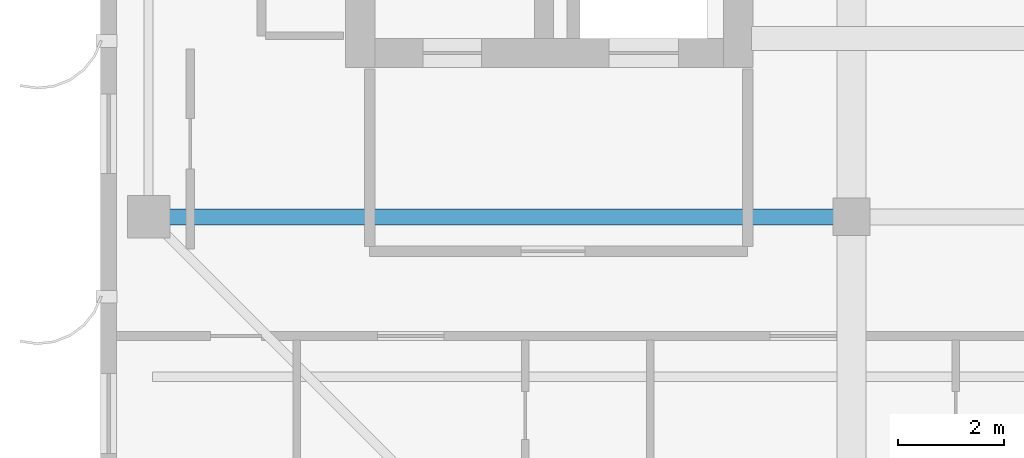
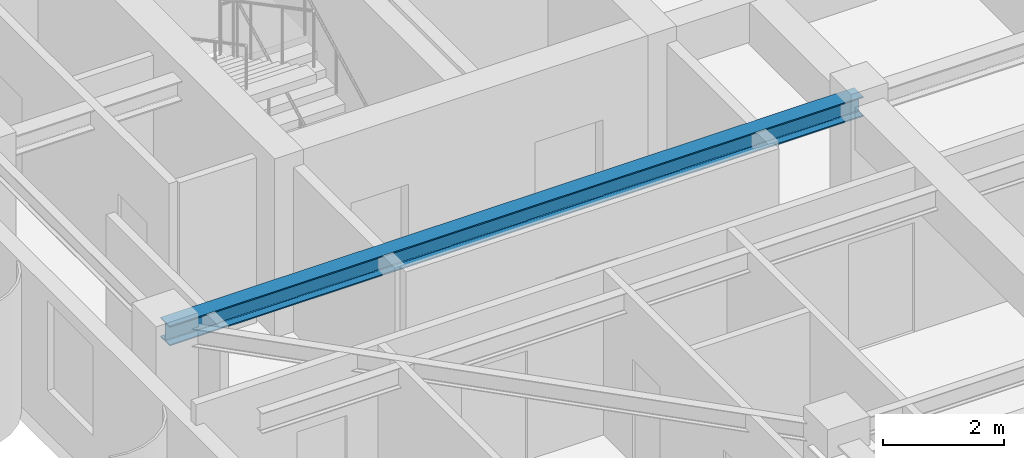
# One storey, part 5 of 19: 1 beam.
"""IFC4 building model written with IfcOpenShell, lengths in metres."""

import ifcopenshell
import ifcopenshell.guid

model = None  # the IFC model being written
_history = None  # IfcOwnerHistory: only IFC2X3 demands one
_inside = {}  # id of a spatial element -> (the spatial element, [elements in it])
_under = {}  # id of a project, library or spatial element -> (it, [spatial elements below it])
_declared = {}  # id of a project -> (the project, [libraries it declares])
_typed = {}  # id of a type object -> (the type object, [elements of that type])
_made_of = {}  # id of a material, layer set ... -> (it, [elements and type objects made of it])


def new_model(schema):
    """Start an empty IFC model of exactly this schema.

    Asked for "IFC4X3", IfcOpenShell would pick the latest addendum, in which some entities
    have other attributes; the version numbers below select the first issue.
    IFC2X3 requires an IfcOwnerHistory on every rooted entity: one is made here for all.
    """
    global model, _history
    if schema == "IFC4X3":
        model = ifcopenshell.file(schema_version=(4, 3, 0, 0))
    else:
        model = ifcopenshell.file(schema=schema)
    _inside.clear()
    _under.clear()
    _declared.clear()
    _typed.clear()
    _made_of.clear()
    _history = None
    if model.schema == "IFC2X3":
        org = make("IfcOrganization", Name="unknown")
        user = make(
            "IfcPersonAndOrganization",
            ThePerson=make("IfcPerson", FamilyName="unknown"),
            TheOrganization=org,
        )
        app = make(
            "IfcApplication",
            ApplicationDeveloper=org,
            Version="unknown",
            ApplicationFullName="unknown",
            ApplicationIdentifier="unknown",
        )
        _history = make(
            "IfcOwnerHistory",
            OwningUser=user,
            OwningApplication=app,
            ChangeAction="ADDED",
            CreationDate=0,
        )
    return model


def make(cls, **values):
    """One entity of the class cls with the attributes given. An attribute that is None is left unset."""
    return model.create_entity(
        cls, **{name: value for name, value in values.items() if value is not None}
    )


def rooted(cls, **values):
    """An entity with a GlobalId (a new one), such as an element, a storey or a relation."""
    return make(cls, GlobalId=ifcopenshell.guid.new(), OwnerHistory=_history, **values)


def si_unit(unit_type, name, prefix=None):
    """IfcSIUnit, for example si_unit("LENGTHUNIT", "METRE", prefix="MILLI")."""
    return make("IfcSIUnit", UnitType=unit_type, Prefix=prefix, Name=name)


def assignment(units):
    """IfcUnitAssignment: the units of a project."""
    return None if units is None else make("IfcUnitAssignment", Units=units)


def point(xyz):
    """IfcCartesianPoint."""
    return None if xyz is None else make("IfcCartesianPoint", Coordinates=xyz)


def direction(xyz):
    """IfcDirection."""
    return None if xyz is None else make("IfcDirection", DirectionRatios=xyz)


def frame(location, z_axis=None, x_axis=None):
    """IfcAxis2Placement3D, a coordinate frame: its origin and axes. An axis left out is left unset."""
    return make(
        "IfcAxis2Placement3D",
        Location=point(location),
        Axis=direction(z_axis),
        RefDirection=direction(x_axis),
    )


def frame_2d(location, x_axis=None):
    """IfcAxis2Placement2D, a coordinate frame in the plane: its origin and x axis."""
    return make(
        "IfcAxis2Placement2D", Location=point(location), RefDirection=direction(x_axis)
    )


def origin():
    """The frame at (0, 0, 0) with its axes left unset."""
    return frame((0.0, 0.0, 0.0))


def origin_2d():
    """The frame at (0, 0) in the plane with its x axis left unset."""
    return frame_2d((0.0, 0.0))


def place(relative_to, where):
    """IfcLocalPlacement: puts the frame where relative to a parent placement (None: the world)."""
    return make(
        "IfcLocalPlacement", PlacementRelTo=relative_to, RelativePlacement=where
    )


def context(
    kind, dimensions, precision=None, world=None, true_north=None, identifier=None
):
    """IfcGeometricRepresentationContext, for example the 3D "Model" context."""
    return make(
        "IfcGeometricRepresentationContext",
        ContextIdentifier=identifier,
        ContextType=kind,
        CoordinateSpaceDimension=dimensions,
        Precision=precision,
        WorldCoordinateSystem=world,
        TrueNorth=true_north,
    )


def subcontext(parent, identifier, kind, view, scale=None):
    """IfcGeometricRepresentationSubContext, for example "Body" below "Model"."""
    return make(
        "IfcGeometricRepresentationSubContext",
        ContextIdentifier=identifier,
        ContextType=kind,
        ParentContext=parent,
        TargetScale=scale,
        TargetView=view,
    )


def project(units=None, contexts=None):
    """IfcProject with its units and contexts."""
    return rooted(
        "IfcProject",
        Name="project",
        RepresentationContexts=contexts,
        UnitsInContext=assignment(units),
    )


def spatial(cls, under=None, at=None, **own):
    """A site, building, storey or space (cls), placed at a placement, below another one or the project."""
    s = rooted(cls, ObjectPlacement=at, **own)
    if under is not None:
        _under.setdefault(under.id(), (under, []))[1].append(s)
    return s


def profile(cls, at=None, kind="AREA", **sizes):
    """A parametric profile (cls). Its sizes go by their IFC names, for example OverallWidth=200.0."""
    return make(cls, ProfileType=kind, Position=at, **sizes)


def i_section(**sizes):
    """IfcIShapeProfileDef."""
    return profile("IfcIShapeProfileDef", **sizes)


def extrude(swept, where, along, depth):
    """IfcExtrudedAreaSolid: the profile swept, set in the frame where, extruded along a direction by depth."""
    return make(
        "IfcExtrudedAreaSolid",
        SweptArea=swept,
        Position=where,
        ExtrudedDirection=direction(along),
        Depth=depth,
    )


def shape(context_of_items, identifier, shape_type, items):
    """IfcShapeRepresentation: the items that make up one representation, for example the "Body"."""
    return make(
        "IfcShapeRepresentation",
        ContextOfItems=context_of_items,
        RepresentationIdentifier=identifier,
        RepresentationType=shape_type,
        Items=items,
    )


def source(mapping_origin, context_of_items, identifier, shape_type, items):
    """IfcRepresentationMap: a shape defined once, which mapped items show again and again."""
    return make(
        "IfcRepresentationMap",
        MappingOrigin=mapping_origin,
        MappedRepresentation=shape(context_of_items, identifier, shape_type, items),
    )


def transform(
    local_origin,
    x_axis=None,
    y_axis=None,
    z_axis=None,
    scale=None,
    scale2=None,
    scale3=None,
    uniform=True,
):
    """IfcCartesianTransformationOperator3D, or its non-uniform kind. x_axis, y_axis, z_axis: its Axis1, 2, 3."""
    if uniform:
        return make(
            "IfcCartesianTransformationOperator3D",
            Axis1=direction(x_axis),
            Axis2=direction(y_axis),
            LocalOrigin=point(local_origin),
            Scale=scale,
            Axis3=direction(z_axis),
        )
    return make(
        "IfcCartesianTransformationOperator3DnonUniform",
        Axis1=direction(x_axis),
        Axis2=direction(y_axis),
        LocalOrigin=point(local_origin),
        Scale=scale,
        Axis3=direction(z_axis),
        Scale2=scale2,
        Scale3=scale3,
    )


def mapped(mapping_source, mapping_target):
    """IfcMappedItem: shows the shape of a source again, moved by a transform."""
    return make(
        "IfcMappedItem", MappingSource=mapping_source, MappingTarget=mapping_target
    )


def material(Name=None, Category=None):
    """IfcMaterial."""
    return make("IfcMaterial", Name=Name, Category=Category)


def material_profile(
    of_material, cross_section, Name=None, Category=None, Priority=None
):
    """IfcMaterialProfile: a cross section and its material."""
    return make(
        "IfcMaterialProfile",
        Name=Name,
        Material=of_material,
        Profile=cross_section,
        Priority=Priority,
        Category=Category,
    )


def profile_set(profiles, Name=None, composite=None):
    """IfcMaterialProfileSet."""
    return make(
        "IfcMaterialProfileSet",
        Name=Name,
        MaterialProfiles=profiles,
        CompositeProfile=composite,
    )


def made_of(thing, what):
    """Note that an element or type object is made of a material, layer set ...; save() writes the relation."""
    if what is not None:
        _made_of.setdefault(what.id(), (what, []))[1].append(thing)
    return thing


def type_object(cls, material=None, **own):
    """A type object (cls), such as IfcWallType, which elements share."""
    return made_of(rooted(cls, **own), material)


def element(
    cls,
    number,
    at=None,
    inside=None,
    cuts=None,
    type_object=None,
    material=None,
    context=None,
    identifier="Body",
    shape_type=None,
    held_by="IfcProductDefinitionShape",
    body=None,
    shapes=None,
    **own,
):
    """One element of the class cls, such as IfcWall. Its Tag is "e" and its number.

    at: its placement. inside: the storey or other place that contains it. cuts: it is an
    opening in that element (IfcRelVoidsElement). A single representation is given by context,
    identifier, shape_type and body (its items); several are given by shapes. held_by: the class
    of the entity that holds the representations. save() writes the other relations.
    """
    e = rooted(cls, Tag="e%d" % number, ObjectPlacement=at, **own)
    if body is not None:
        shapes = [shape(context, identifier, shape_type, body)]
    if shapes is not None:
        e.Representation = make(held_by, Representations=shapes)
    if inside is not None:
        _inside.setdefault(inside.id(), (inside, []))[1].append(e)
    if cuts is not None:
        rooted(
            "IfcRelVoidsElement", RelatingBuildingElement=cuts, RelatedOpeningElement=e
        )
    if type_object is not None:
        _typed.setdefault(type_object.id(), (type_object, []))[1].append(e)
    return made_of(e, material)


def aggregate(whole, parts):
    """IfcRelAggregates: a whole, such as a stair, and the parts it consists of."""
    return rooted("IfcRelAggregates", RelatingObject=whole, RelatedObjects=parts)


def save(model, path):
    """Write the relations noted so far, then the file.

    IfcRelAggregates (storeys below a building ...), IfcRelContainedInSpatialStructure (elements
    in a storey), IfcRelDefinesByType, IfcRelAssociatesMaterial and IfcRelDeclares: one each for
    every whole, place, type object, material and project.
    """
    for whole, parts in _under.values():
        aggregate(whole, parts)
    for where, things in _inside.values():
        rooted(
            "IfcRelContainedInSpatialStructure",
            RelatedElements=things,
            RelatingStructure=where,
        )
    for kind, things in _typed.values():
        rooted("IfcRelDefinesByType", RelatedObjects=things, RelatingType=kind)
    for what, things in _made_of.values():
        rooted("IfcRelAssociatesMaterial", RelatedObjects=things, RelatingMaterial=what)
    for by, libraries in _declared.values():
        rooted("IfcRelDeclares", RelatingContext=by, RelatedDefinitions=libraries)
    model.write(path)


model = new_model("IFC4")

# Units and contexts
model_context = context("Model", 3, precision=1e-05, world=origin(), true_north=direction((0.0, 1.0)))
body_context = subcontext(model_context, "Body", "Model", "MODEL_VIEW")
ifc_project = project(units=[si_unit("LENGTHUNIT", "METRE"), si_unit("AREAUNIT", "SQUARE_METRE"), si_unit("VOLUMEUNIT", "CUBIC_METRE"), si_unit("PLANEANGLEUNIT", "RADIAN"), si_unit("MASSUNIT", "GRAM", prefix="KILO")], contexts=[model_context])

# Site, building, storey
site_placement = place(None, origin())
site = spatial("IfcSite", under=ifc_project, at=site_placement, CompositionType="ELEMENT")
building_placement = place(site_placement, origin())
building = spatial("IfcBuilding", under=site, at=building_placement, Name="Khoralis Quay Care Tower", CompositionType="ELEMENT")
storey_placement = place(building_placement, frame((0.0, 0.0, 281.699951171875)))
storey = spatial("IfcBuildingStorey", under=building, at=storey_placement, Name="L74", CompositionType="ELEMENT", Elevation=281.699951171875)

# Beam
ifc_material = material(Name="Steel S355", Category="steel")
ifc_material_profile = material_profile(ifc_material, i_section(OverallWidth=0.300048828125, OverallDepth=0.39990234375, WebThickness=0.013427734375, FlangeThickness=0.02392578125, FilletRadius=0.027099609375, at=origin_2d()), Name="Steel S355")
ifc_profile_set = profile_set([ifc_material_profile], Name="Steel S355")
beam_type = type_object("IfcBeamType", Name="BM-HEB400", PredefinedType="BEAM", material=ifc_profile_set)
shared_shape = source(origin(), body_context, "Body", "SweptSolid", [
    extrude(i_section(OverallWidth=0.300048828125, OverallDepth=0.39990234375, WebThickness=0.013427734375, FlangeThickness=0.02392578125, FilletRadius=0.027099609375, at=origin_2d()), origin(), (0.0, 0.0, 1.0), 13.2001953125),
])
beam_placement = place(storey_placement, frame((3.89990234375, 12.0, 3.1201171875), z_axis=(1.0, 0.0, 0.0), x_axis=(0.0, 1.0, 0.0)))
element("IfcBeam", 1, at=beam_placement, inside=storey, type_object=beam_type, Name="BM-TGXW-L74-120", PredefinedType="BEAM", context=body_context, shape_type="MappedRepresentation", body=[
    mapped(shared_shape, transform((0.0, 0.0, 0.0), scale=1.0)),
])

save(model, "model.ifc")
